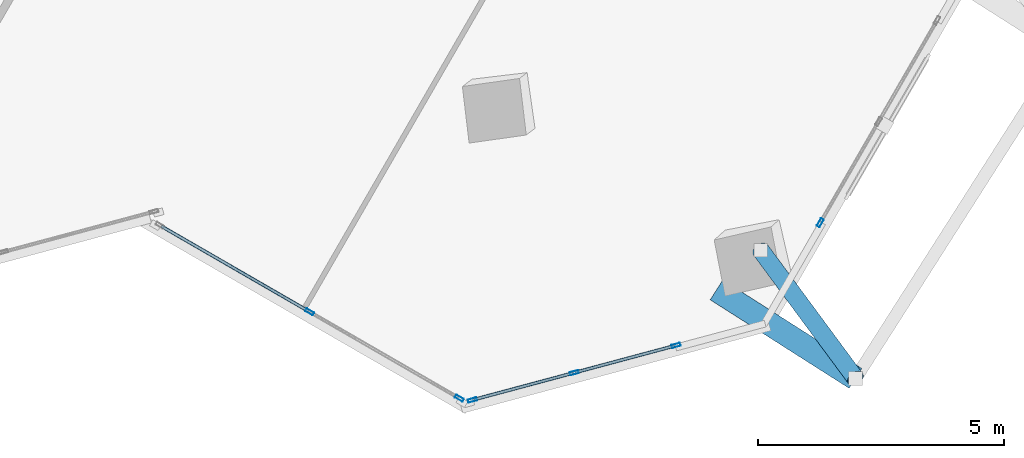
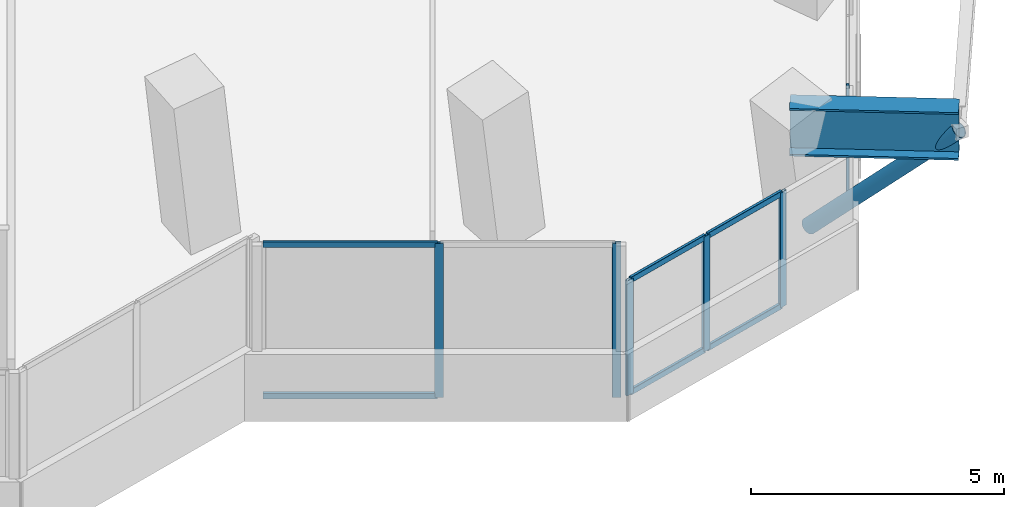
# One storey, part 8 of 22: 13 members, 1 beam, 3 elements without a shape of their own.
"""IFC4 building model written with IfcOpenShell, lengths in metres."""

import ifcopenshell
import ifcopenshell.guid

model = None  # the IFC model being written
_history = None  # IfcOwnerHistory: only IFC2X3 demands one
_inside = {}  # id of a spatial element -> (the spatial element, [elements in it])
_under = {}  # id of a project, library or spatial element -> (it, [spatial elements below it])
_declared = {}  # id of a project -> (the project, [libraries it declares])
_typed = {}  # id of a type object -> (the type object, [elements of that type])
_made_of = {}  # id of a material, layer set ... -> (it, [elements and type objects made of it])


def new_model(schema):
    """Start an empty IFC model of exactly this schema.

    Asked for "IFC4X3", IfcOpenShell would pick the latest addendum, in which some entities
    have other attributes; the version numbers below select the first issue.
    IFC2X3 requires an IfcOwnerHistory on every rooted entity: one is made here for all.
    """
    global model, _history
    if schema == "IFC4X3":
        model = ifcopenshell.file(schema_version=(4, 3, 0, 0))
    else:
        model = ifcopenshell.file(schema=schema)
    _inside.clear()
    _under.clear()
    _declared.clear()
    _typed.clear()
    _made_of.clear()
    _history = None
    if model.schema == "IFC2X3":
        org = make("IfcOrganization", Name="unknown")
        user = make(
            "IfcPersonAndOrganization",
            ThePerson=make("IfcPerson", FamilyName="unknown"),
            TheOrganization=org,
        )
        app = make(
            "IfcApplication",
            ApplicationDeveloper=org,
            Version="unknown",
            ApplicationFullName="unknown",
            ApplicationIdentifier="unknown",
        )
        _history = make(
            "IfcOwnerHistory",
            OwningUser=user,
            OwningApplication=app,
            ChangeAction="ADDED",
            CreationDate=0,
        )
    return model


def make(cls, **values):
    """One entity of the class cls with the attributes given. An attribute that is None is left unset."""
    return model.create_entity(
        cls, **{name: value for name, value in values.items() if value is not None}
    )


def rooted(cls, **values):
    """An entity with a GlobalId (a new one), such as an element, a storey or a relation."""
    return make(cls, GlobalId=ifcopenshell.guid.new(), OwnerHistory=_history, **values)


def si_unit(unit_type, name, prefix=None):
    """IfcSIUnit, for example si_unit("LENGTHUNIT", "METRE", prefix="MILLI")."""
    return make("IfcSIUnit", UnitType=unit_type, Prefix=prefix, Name=name)


def assignment(units):
    """IfcUnitAssignment: the units of a project."""
    return None if units is None else make("IfcUnitAssignment", Units=units)


def point(xyz):
    """IfcCartesianPoint."""
    return None if xyz is None else make("IfcCartesianPoint", Coordinates=xyz)


def direction(xyz):
    """IfcDirection."""
    return None if xyz is None else make("IfcDirection", DirectionRatios=xyz)


def frame(location, z_axis=None, x_axis=None):
    """IfcAxis2Placement3D, a coordinate frame: its origin and axes. An axis left out is left unset."""
    return make(
        "IfcAxis2Placement3D",
        Location=point(location),
        Axis=direction(z_axis),
        RefDirection=direction(x_axis),
    )


def frame_2d(location, x_axis=None):
    """IfcAxis2Placement2D, a coordinate frame in the plane: its origin and x axis."""
    return make(
        "IfcAxis2Placement2D", Location=point(location), RefDirection=direction(x_axis)
    )


def origin():
    """The frame at (0, 0, 0) with its axes left unset."""
    return frame((0.0, 0.0, 0.0))


def origin_2d():
    """The frame at (0, 0) in the plane with its x axis left unset."""
    return frame_2d((0.0, 0.0))


def place(relative_to, where):
    """IfcLocalPlacement: puts the frame where relative to a parent placement (None: the world)."""
    return make(
        "IfcLocalPlacement", PlacementRelTo=relative_to, RelativePlacement=where
    )


def context(
    kind, dimensions, precision=None, world=None, true_north=None, identifier=None
):
    """IfcGeometricRepresentationContext, for example the 3D "Model" context."""
    return make(
        "IfcGeometricRepresentationContext",
        ContextIdentifier=identifier,
        ContextType=kind,
        CoordinateSpaceDimension=dimensions,
        Precision=precision,
        WorldCoordinateSystem=world,
        TrueNorth=true_north,
    )


def subcontext(parent, identifier, kind, view, scale=None):
    """IfcGeometricRepresentationSubContext, for example "Body" below "Model"."""
    return make(
        "IfcGeometricRepresentationSubContext",
        ContextIdentifier=identifier,
        ContextType=kind,
        ParentContext=parent,
        TargetScale=scale,
        TargetView=view,
    )


def project(units=None, contexts=None):
    """IfcProject with its units and contexts."""
    return rooted(
        "IfcProject",
        Name="project",
        RepresentationContexts=contexts,
        UnitsInContext=assignment(units),
    )


def spatial(cls, under=None, at=None, **own):
    """A site, building, storey or space (cls), placed at a placement, below another one or the project."""
    s = rooted(cls, ObjectPlacement=at, **own)
    if under is not None:
        _under.setdefault(under.id(), (under, []))[1].append(s)
    return s


def profile(cls, at=None, kind="AREA", **sizes):
    """A parametric profile (cls). Its sizes go by their IFC names, for example OverallWidth=200.0."""
    return make(cls, ProfileType=kind, Position=at, **sizes)


def hollow_rectangle(**sizes):
    """IfcRectangleHollowProfileDef."""
    return profile("IfcRectangleHollowProfileDef", **sizes)


def hollow_circle(**sizes):
    """IfcCircleHollowProfileDef."""
    return profile("IfcCircleHollowProfileDef", **sizes)


def i_section(**sizes):
    """IfcIShapeProfileDef."""
    return profile("IfcIShapeProfileDef", **sizes)


def extrude(swept, where, along, depth):
    """IfcExtrudedAreaSolid: the profile swept, set in the frame where, extruded along a direction by depth."""
    return make(
        "IfcExtrudedAreaSolid",
        SweptArea=swept,
        Position=where,
        ExtrudedDirection=direction(along),
        Depth=depth,
    )


def shape(context_of_items, identifier, shape_type, items):
    """IfcShapeRepresentation: the items that make up one representation, for example the "Body"."""
    return make(
        "IfcShapeRepresentation",
        ContextOfItems=context_of_items,
        RepresentationIdentifier=identifier,
        RepresentationType=shape_type,
        Items=items,
    )


def source(mapping_origin, context_of_items, identifier, shape_type, items):
    """IfcRepresentationMap: a shape defined once, which mapped items show again and again."""
    return make(
        "IfcRepresentationMap",
        MappingOrigin=mapping_origin,
        MappedRepresentation=shape(context_of_items, identifier, shape_type, items),
    )


def transform(
    local_origin,
    x_axis=None,
    y_axis=None,
    z_axis=None,
    scale=None,
    scale2=None,
    scale3=None,
    uniform=True,
):
    """IfcCartesianTransformationOperator3D, or its non-uniform kind. x_axis, y_axis, z_axis: its Axis1, 2, 3."""
    if uniform:
        return make(
            "IfcCartesianTransformationOperator3D",
            Axis1=direction(x_axis),
            Axis2=direction(y_axis),
            LocalOrigin=point(local_origin),
            Scale=scale,
            Axis3=direction(z_axis),
        )
    return make(
        "IfcCartesianTransformationOperator3DnonUniform",
        Axis1=direction(x_axis),
        Axis2=direction(y_axis),
        LocalOrigin=point(local_origin),
        Scale=scale,
        Axis3=direction(z_axis),
        Scale2=scale2,
        Scale3=scale3,
    )


def mapped(mapping_source, mapping_target):
    """IfcMappedItem: shows the shape of a source again, moved by a transform."""
    return make(
        "IfcMappedItem", MappingSource=mapping_source, MappingTarget=mapping_target
    )


def material(Name=None, Category=None):
    """IfcMaterial."""
    return make("IfcMaterial", Name=Name, Category=Category)


def material_profile(
    of_material, cross_section, Name=None, Category=None, Priority=None
):
    """IfcMaterialProfile: a cross section and its material."""
    return make(
        "IfcMaterialProfile",
        Name=Name,
        Material=of_material,
        Profile=cross_section,
        Priority=Priority,
        Category=Category,
    )


def profile_set(profiles, Name=None, composite=None):
    """IfcMaterialProfileSet."""
    return make(
        "IfcMaterialProfileSet",
        Name=Name,
        MaterialProfiles=profiles,
        CompositeProfile=composite,
    )


def made_of(thing, what):
    """Note that an element or type object is made of a material, layer set ...; save() writes the relation."""
    if what is not None:
        _made_of.setdefault(what.id(), (what, []))[1].append(thing)
    return thing


def type_object(cls, material=None, **own):
    """A type object (cls), such as IfcWallType, which elements share."""
    return made_of(rooted(cls, **own), material)


def element(
    cls,
    number,
    at=None,
    inside=None,
    cuts=None,
    type_object=None,
    material=None,
    context=None,
    identifier="Body",
    shape_type=None,
    held_by="IfcProductDefinitionShape",
    body=None,
    shapes=None,
    **own,
):
    """One element of the class cls, such as IfcWall. Its Tag is "e" and its number.

    at: its placement. inside: the storey or other place that contains it. cuts: it is an
    opening in that element (IfcRelVoidsElement). A single representation is given by context,
    identifier, shape_type and body (its items); several are given by shapes. held_by: the class
    of the entity that holds the representations. save() writes the other relations.
    """
    e = rooted(cls, Tag="e%d" % number, ObjectPlacement=at, **own)
    if body is not None:
        shapes = [shape(context, identifier, shape_type, body)]
    if shapes is not None:
        e.Representation = make(held_by, Representations=shapes)
    if inside is not None:
        _inside.setdefault(inside.id(), (inside, []))[1].append(e)
    if cuts is not None:
        rooted(
            "IfcRelVoidsElement", RelatingBuildingElement=cuts, RelatedOpeningElement=e
        )
    if type_object is not None:
        _typed.setdefault(type_object.id(), (type_object, []))[1].append(e)
    return made_of(e, material)


def aggregate(whole, parts):
    """IfcRelAggregates: a whole, such as a stair, and the parts it consists of."""
    return rooted("IfcRelAggregates", RelatingObject=whole, RelatedObjects=parts)


def save(model, path):
    """Write the relations noted so far, then the file.

    IfcRelAggregates (storeys below a building ...), IfcRelContainedInSpatialStructure (elements
    in a storey), IfcRelDefinesByType, IfcRelAssociatesMaterial and IfcRelDeclares: one each for
    every whole, place, type object, material and project.
    """
    for whole, parts in _under.values():
        aggregate(whole, parts)
    for where, things in _inside.values():
        rooted(
            "IfcRelContainedInSpatialStructure",
            RelatedElements=things,
            RelatingStructure=where,
        )
    for kind, things in _typed.values():
        rooted("IfcRelDefinesByType", RelatedObjects=things, RelatingType=kind)
    for what, things in _made_of.values():
        rooted("IfcRelAssociatesMaterial", RelatedObjects=things, RelatingMaterial=what)
    for by, libraries in _declared.values():
        rooted("IfcRelDeclares", RelatingContext=by, RelatedDefinitions=libraries)
    model.write(path)


model = new_model("IFC4")

# Units and contexts
model_context = context("Model", 3, precision=1e-05, world=origin(), true_north=direction((0.0, 1.0)))
body_context = subcontext(model_context, "Body", "Model", "MODEL_VIEW")
ifc_project = project(units=[si_unit("LENGTHUNIT", "METRE"), si_unit("AREAUNIT", "SQUARE_METRE"), si_unit("VOLUMEUNIT", "CUBIC_METRE"), si_unit("PLANEANGLEUNIT", "RADIAN"), si_unit("MASSUNIT", "GRAM", prefix="KILO")], contexts=[model_context])

# Site, building, storey
site_placement = place(None, origin())
site = spatial("IfcSite", under=ifc_project, at=site_placement, CompositionType="ELEMENT")
building_placement = place(site_placement, origin())
building = spatial("IfcBuilding", under=site, at=building_placement, Name="Torre Montelarca", CompositionType="ELEMENT")
storey_placement = place(building_placement, frame((0.0, 0.0, 183.39990234375)))
storey = spatial("IfcBuildingStorey", under=building, at=storey_placement, Name="L41", CompositionType="ELEMENT", Elevation=183.39990234375)

# Member
ifc_material_1 = material(Name="Steel ASTM A500 Grade C", Category="steel")
ifc_material_profile_1 = material_profile(ifc_material_1, hollow_circle(Radius=0.177734375, WallThickness=0.015869140625, at=origin_2d()), Name="HSS355.6X15.9", Category="steel")
ifc_profile_set_1 = profile_set([ifc_material_profile_1], Name="Steel ASTM A500 Grade C")
member_type_1 = type_object("IfcMemberType", Name="MB-BR-CHS356-EXT", PredefinedType="BRACE", material=ifc_profile_set_1)
shared_shape_1 = source(origin(), body_context, "Body", "SweptSolid", [
    extrude(hollow_circle(Radius=0.177734375, WallThickness=0.015869140625, at=origin_2d()), origin(), (0.0, 0.0, 1.0), 4.579833984375),
])
member_1_placement = place(storey_placement, frame((40.44970703125, 11.82177734375, 0.150146484375), z_axis=(0.420756297045, -0.569271062478, 0.706324709976), x_axis=(0.804182401497, 0.594382591537, 0.0)))
element("IfcMember", 1, at=member_1_placement, inside=storey, type_object=member_type_1, Name="L42 Sliding Tray Exterior Diagonal Raker Strut E1", PredefinedType="BRACE", context=body_context, shape_type="MappedRepresentation", body=[
    mapped(shared_shape_1, transform((0.0, 0.0, 0.0), scale=1.0)),
])

# Beam
ifc_material_2 = material(Name="Steel ASTM A572 Grade 50", Category="steel")
ifc_material_profile_2 = material_profile(ifc_material_2, i_section(OverallWidth=0.47998046875, OverallDepth=1.14990234375, WebThickness=0.02197265625, FlangeThickness=0.044921875, at=origin_2d()), Name="PG1150X480X22X45", Category="steel")
ifc_profile_set_2 = profile_set([ifc_material_profile_2], Name="Steel ASTM A572 Grade 50")
beam_type = type_object("IfcBeamType", Name="BM-CG-PG1400-EXT", PredefinedType="USERDEFINED", material=ifc_profile_set_2)
shared_shape_2 = source(origin(), body_context, "Body", "SweptSolid", [
    extrude(i_section(OverallWidth=0.47998046875, OverallDepth=1.14990234375, WebThickness=0.02197265625, FlangeThickness=0.044921875, at=origin_2d()), origin(), (0.0, 0.0, 1.0), 3.349853515625),
])
beam_placement = place(storey_placement, frame((39.551513671875, 11.014404296875, 3.385009765625), z_axis=(0.843397293465, -0.537290429262, 0.0), x_axis=(0.537290429262, 0.843397293465, 0.0)))
element("IfcBeam", 2, at=beam_placement, inside=storey, type_object=beam_type, Name="L41 Sliding Tray Cantilever Girder East Y=24m (FLR)", ObjectType="CANTILEVER GIRDER", PredefinedType="USERDEFINED", context=body_context, shape_type="MappedRepresentation", body=[
    mapped(shared_shape_2, transform((0.0, 0.0, 0.0), scale=1.0)),
])

# Curtain wall, members
ifc_material_3 = material(Name="Insulated low-E laminated glass", Category="glass")
curtain_wall_type = type_object("IfcCurtainWallType", Name="CW-SYS-Z2", PredefinedType="USERDEFINED", material=ifc_material_3)
curtain_wall_1_placement = place(storey_placement, origin())
curtain_wall_1 = element("IfcCurtainWall", 3, at=curtain_wall_1_placement, inside=storey, type_object=curtain_wall_type, Name="L41 Curtain Wall Run CW-T3-L41-E04-B1", ObjectType="UNITISED GLAZING", PredefinedType="USERDEFINED")
ifc_material_4 = material(Name="Anodised aluminium AA 6063-T6", Category="aluminium")
ifc_material_profile_3 = material_profile(ifc_material_4, hollow_rectangle(XDim=0.06494140625, YDim=0.179931640625, WallThickness=0.00390625, InnerFilletRadius=0.00390625, OuterFilletRadius=0.008056640625, at=origin_2d()), Name="ALU65X180X4", Category="aluminium")
ifc_profile_set_3 = profile_set([ifc_material_profile_3], Name="Anodised aluminium AA 6063-T6")
member_type_2 = type_object("IfcMemberType", Name="CWM-ALU180", PredefinedType="MULLION", material=ifc_profile_set_3)
shared_shape_3 = source(origin(), body_context, "Body", "SweptSolid", [
    extrude(hollow_rectangle(XDim=0.06494140625, YDim=0.179931640625, WallThickness=0.00390625, InnerFilletRadius=0.00390625, OuterFilletRadius=0.008056640625, at=origin_2d()), origin(), (0.0, 0.0, 1.0), 3.72021484375),
])
member_2_placement = place(storey_placement, frame((31.282470703125, 10.5673828125, 0.0), z_axis=(0.0, 0.0, 1.0), x_axis=(0.499995443442, 0.866028034499, 0.0)))
member_2 = element("IfcMember", 4, at=member_2_placement, type_object=member_type_2, Name="CW mullion 2", PredefinedType="MULLION", context=body_context, shape_type="MappedRepresentation", body=[
    mapped(shared_shape_3, transform((0.0, 0.0, 0.0), scale=1.0)),
])
member_3_placement = place(storey_placement, frame((34.3251953125, 8.810546875, 0.0), z_axis=(0.0, 0.0, 1.0), x_axis=(0.499995443442, 0.866028034499, 0.0)))
member_3 = element("IfcMember", 5, at=member_3_placement, type_object=member_type_2, Name="CW mullion 3", PredefinedType="MULLION", context=body_context, shape_type="MappedRepresentation", body=[
    mapped(shared_shape_3, transform((0.0, 0.0, 0.0), scale=1.0)),
])

curtain_wall_2_placement = place(storey_placement, origin())
curtain_wall_2 = element("IfcCurtainWall", 6, at=curtain_wall_2_placement, inside=storey, type_object=curtain_wall_type, Name="L41 Curtain Wall Run CW-T3-L41-E05-B1", ObjectType="UNITISED GLAZING", PredefinedType="USERDEFINED")
shared_shape_4 = source(origin(), body_context, "Body", "SweptSolid", [
    extrude(hollow_rectangle(XDim=0.06494140625, YDim=0.179931640625, WallThickness=0.00390625, InnerFilletRadius=0.00390625, OuterFilletRadius=0.008056640625, at=origin_2d()), origin(), (0.0, 0.0, 1.0), 2.775146484375),
])
member_4_placement = place(storey_placement, frame((34.590087890625, 8.775634765625, 0.0), z_axis=(0.0, 0.0, 1.0), x_axis=(-0.258838748757, 0.965920546495, 0.0)))
member_4 = element("IfcMember", 7, at=member_4_placement, type_object=member_type_2, Name="CW mullion 1", PredefinedType="MULLION", context=body_context, shape_type="MappedRepresentation", body=[
    mapped(shared_shape_4, transform((0.0, 0.0, 0.0), scale=1.0)),
])
member_5_placement = place(storey_placement, frame((36.6591796875, 9.330078125, 0.0), z_axis=(0.0, 0.0, 1.0), x_axis=(-0.258838748757, 0.965920546495, 0.0)))
member_5 = element("IfcMember", 8, at=member_5_placement, type_object=member_type_2, Name="CW mullion 2", PredefinedType="MULLION", context=body_context, shape_type="MappedRepresentation", body=[
    mapped(shared_shape_4, transform((0.0, 0.0, 0.0), scale=1.0)),
])
member_6_placement = place(storey_placement, frame((38.728515625, 9.884765625, 0.0), z_axis=(0.0, 0.0, 1.0), x_axis=(-0.258838748757, 0.965920546495, 0.0)))
member_6 = element("IfcMember", 9, at=member_6_placement, type_object=member_type_2, Name="CW mullion 3", PredefinedType="MULLION", context=body_context, shape_type="MappedRepresentation", body=[
    mapped(shared_shape_4, transform((0.0, 0.0, 0.0), scale=1.0)),
])

# Curtain wall, member
curtain_wall_3_placement = place(storey_placement, origin())
curtain_wall_3 = element("IfcCurtainWall", 10, at=curtain_wall_3_placement, inside=storey, type_object=curtain_wall_type, Name="L41 Curtain Wall Run CW-T3-L41-E06-B1", ObjectType="UNITISED GLAZING", PredefinedType="USERDEFINED")
member_7_placement = place(storey_placement, frame((41.66015625, 12.378662109375, 0.0), z_axis=(0.0, 0.0, 1.0), x_axis=(-0.866020757794, 0.500008047005, 0.0)))
member_7 = element("IfcMember", 11, at=member_7_placement, type_object=member_type_2, Name="CW mullion 1", PredefinedType="MULLION", context=body_context, shape_type="MappedRepresentation", body=[
    mapped(shared_shape_4, transform((0.0, 0.0, 0.0), scale=1.0)),
])
aggregate(curtain_wall_3, [member_7])

# Member
ifc_material_profile_4 = material_profile(ifc_material_4, hollow_rectangle(XDim=0.06494140625, YDim=0.139892578125, WallThickness=0.00390625, InnerFilletRadius=0.00390625, OuterFilletRadius=0.008056640625, at=origin_2d()), Name="ALU65X140X4", Category="aluminium")
ifc_profile_set_4 = profile_set([ifc_material_profile_4], Name="Anodised aluminium AA 6063-T6")
member_type_3 = type_object("IfcMemberType", Name="CWT-ALU140", PredefinedType="USERDEFINED", material=ifc_profile_set_4)
shared_shape_5 = source(origin(), body_context, "Body", "SweptSolid", [
    extrude(hollow_rectangle(XDim=0.06494140625, YDim=0.139892578125, WallThickness=0.00390625, InnerFilletRadius=0.00390625, OuterFilletRadius=0.008056640625, at=origin_2d()), origin(), (0.0, 0.0, 1.0), 3.44873046875),
])
member_8_placement = place(storey_placement, frame((28.267578125, 12.307861328125, 0.03271484375), z_axis=(0.866016999519, -0.500014556332, 0.0), x_axis=(0.500014556332, 0.866016999519, 0.0)))
member_8 = element("IfcMember", 12, at=member_8_placement, type_object=member_type_3, Name="CW transom 1.1", ObjectType="TRANSOM", PredefinedType="USERDEFINED", context=body_context, shape_type="MappedRepresentation", body=[
    mapped(shared_shape_5, transform((0.0, 0.0, 0.0), scale=1.0)),
])

member_9_placement = place(storey_placement, frame((28.267578125, 12.307861328125, 3.6875), z_axis=(0.866016999519, -0.500014556332, 0.0), x_axis=(0.500014556332, 0.866016999519, 0.0)))
member_9 = element("IfcMember", 13, at=member_9_placement, type_object=member_type_3, Name="CW transom 1.2", ObjectType="TRANSOM", PredefinedType="USERDEFINED", context=body_context, shape_type="MappedRepresentation", body=[
    mapped(shared_shape_5, transform((0.0, 0.0, 0.0), scale=1.0)),
])

aggregate(curtain_wall_1, [member_2, member_3, member_8, member_9])

shared_shape_6 = source(origin(), body_context, "Body", "SweptSolid", [
    extrude(hollow_rectangle(XDim=0.06494140625, YDim=0.139892578125, WallThickness=0.00390625, InnerFilletRadius=0.00390625, OuterFilletRadius=0.008056640625, at=origin_2d()), origin(), (0.0, 0.0, 1.0), 2.0771484375),
])
member_10_placement = place(storey_placement, frame((34.621337890625, 8.7841796875, 0.03271484375), z_axis=(0.965926016212, 0.258818336298, 0.0), x_axis=(-0.258818336298, 0.965926016212, 0.0)))
member_10 = element("IfcMember", 14, at=member_10_placement, type_object=member_type_3, Name="CW transom 1.1", ObjectType="TRANSOM", PredefinedType="USERDEFINED", context=body_context, shape_type="MappedRepresentation", body=[
    mapped(shared_shape_6, transform((0.0, 0.0, 0.0), scale=1.0)),
])

member_11_placement = place(storey_placement, frame((34.621337890625, 8.7841796875, 2.74267578125), z_axis=(0.965926016212, 0.258818336298, 0.0), x_axis=(-0.258818336298, 0.965926016212, 0.0)))
member_11 = element("IfcMember", 15, at=member_11_placement, type_object=member_type_3, Name="CW transom 1.2", ObjectType="TRANSOM", PredefinedType="USERDEFINED", context=body_context, shape_type="MappedRepresentation", body=[
    mapped(shared_shape_6, transform((0.0, 0.0, 0.0), scale=1.0)),
])

member_12_placement = place(storey_placement, frame((36.690673828125, 9.338623046875, 0.03271484375), z_axis=(0.965926016212, 0.258818336298, 0.0), x_axis=(-0.258818336298, 0.965926016212, 0.0)))
member_12 = element("IfcMember", 16, at=member_12_placement, type_object=member_type_3, Name="CW transom 2.1", ObjectType="TRANSOM", PredefinedType="USERDEFINED", context=body_context, shape_type="MappedRepresentation", body=[
    mapped(shared_shape_6, transform((0.0, 0.0, 0.0), scale=1.0)),
])

member_13_placement = place(storey_placement, frame((36.690673828125, 9.338623046875, 2.74267578125), z_axis=(0.965926016212, 0.258818336298, 0.0), x_axis=(-0.258818336298, 0.965926016212, 0.0)))
member_13 = element("IfcMember", 17, at=member_13_placement, type_object=member_type_3, Name="CW transom 2.2", ObjectType="TRANSOM", PredefinedType="USERDEFINED", context=body_context, shape_type="MappedRepresentation", body=[
    mapped(shared_shape_6, transform((0.0, 0.0, 0.0), scale=1.0)),
])

aggregate(curtain_wall_2, [member_4, member_5, member_6, member_10, member_11, member_12, member_13])

save(model, "model.ifc")
